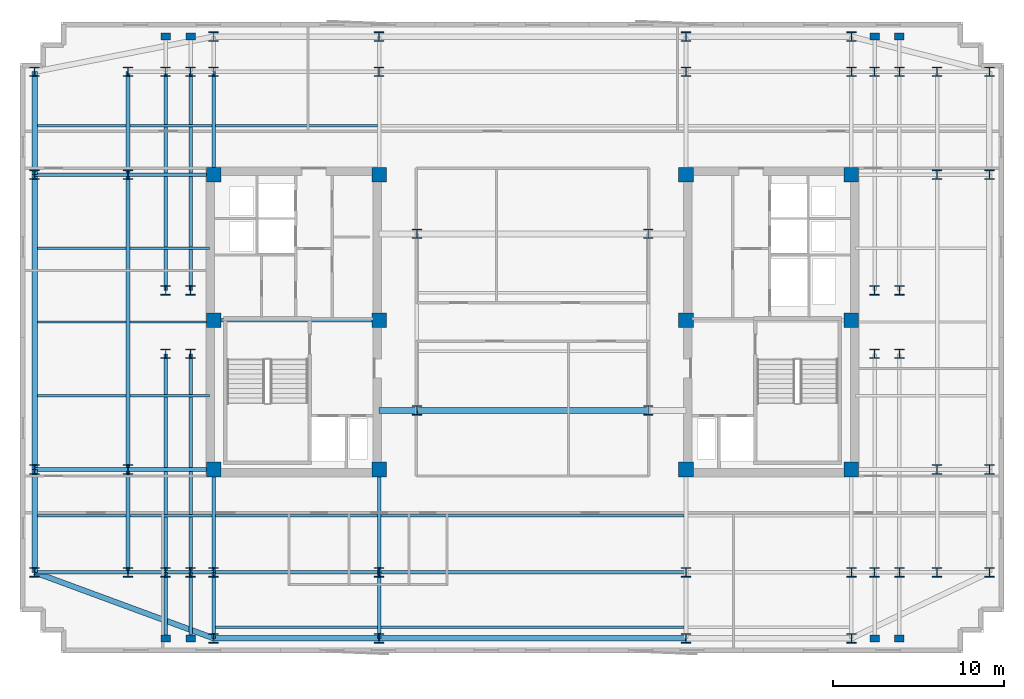
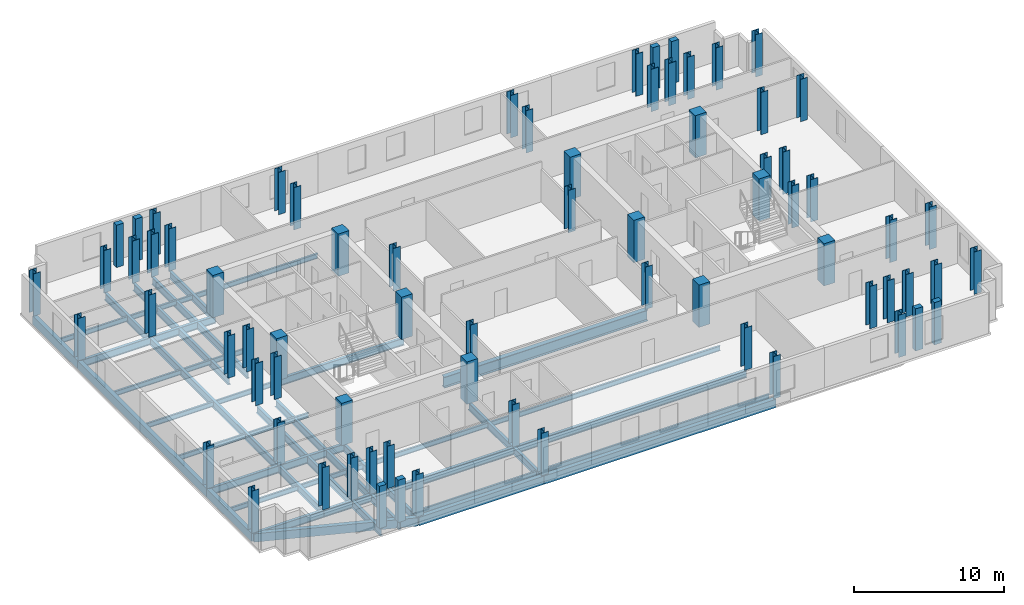
# One storey, part 1 of 9: 72 columns, 46 beams.
"""IFC4 building model written with IfcOpenShell, lengths in metres."""

from ifc_helpers import new_model, si_unit, direction, frame, origin, origin_2d, place, context, subcontext, project, spatial, rectangle, i_section, extrude, material, material_profile, profile_set, type_object, element, save


model = new_model("IFC4")

# Units and contexts
model_context = context("Model", 3, precision=1e-05, world=origin(), true_north=direction((0.0, 1.0)))
body_context = subcontext(model_context, "Body", "Model", "MODEL_VIEW")
ifc_project = project(units=[si_unit("LENGTHUNIT", "METRE"), si_unit("AREAUNIT", "SQUARE_METRE"), si_unit("VOLUMEUNIT", "CUBIC_METRE"), si_unit("PLANEANGLEUNIT", "RADIAN"), si_unit("MASSUNIT", "GRAM", prefix="KILO")], contexts=[model_context])

# Site, building, storey
site_placement = place(None, origin())
site = spatial("IfcSite", under=ifc_project, at=site_placement, CompositionType="ELEMENT")
building_placement = place(site_placement, origin())
building = spatial("IfcBuilding", under=site, at=building_placement, Name="Velakula Bourse", CompositionType="ELEMENT")
storey_placement = place(building_placement, frame((0.0, 0.0, 211.949951171875)))
storey = spatial("IfcBuildingStorey", under=building, at=storey_placement, Name="L57", CompositionType="ELEMENT", Elevation=211.949951171875)

# Columns
ifc_material_1 = material(Name="Concrete M50 (fck 50 MPa)", Category="concrete")
ifc_material_profile_1 = material_profile(ifc_material_1, rectangle(XDim=0.85009765625, YDim=0.85009765625, at=origin_2d()), Name="Concrete M50 (fck 50 MPa)")
ifc_profile_set_1 = profile_set([ifc_material_profile_1], Name="Concrete M50 (fck 50 MPa)")
column_type_1 = type_object("IfcColumnType", Name="COL-RC-850", PredefinedType="COLUMN", material=ifc_profile_set_1)
for number, where, z_axis, x_axis, name in (
    (1, (-8.949951171875, -8.60009765625, 0.0), (0.0, 0.0, 1.0), (1.0, 0.0, 0.0), "L57 Core Boundary Column 01"),
    (2, (-8.949951171875, 0.10009765625, 0.0), (0.0, 0.0, 1.0), (1.0, 0.0, 0.0), "L57 Core Boundary Column 02"),
    (3, (-8.949951171875, 8.60009765625, 0.0), (0.0, 0.0, 1.0), (1.0, 0.0, 0.0), "L57 Core Boundary Column 03"),
    (4, (-18.60009765625, -8.60009765625, 0.0), (0.0, 0.0, 1.0), (1.0, 0.0, 0.0), "L57 Core Boundary Column 04"),
    (5, (-18.60009765625, 0.10009765625, 0.0), (0.0, 0.0, 1.0), (1.0, 0.0, 0.0), "L57 Core Boundary Column 05"),
    (6, (-18.60009765625, 8.60009765625, 0.0), (0.0, 0.0, 1.0), (1.0, 0.0, 0.0), "L57 Core Boundary Column 06"),
    (7, (8.949951171875, -8.60009765625, 0.0), (0.0, 0.0, 1.0), (1.0, 0.0, 0.0), "L57 Core Boundary Column 07"),
    (8, (8.949951171875, 0.10009765625, 0.0), (0.0, 0.0, 1.0), (1.0, 0.0, 0.0), "L57 Core Boundary Column 08"),
    (9, (8.949951171875, 8.60009765625, 0.0), (0.0, 0.0, 1.0), (1.0, 0.0, 0.0), "L57 Core Boundary Column 09"),
    (10, (18.60009765625, -8.60009765625, 0.0), (0.0, 0.0, 1.0), (1.0, 0.0, 0.0), "L57 Core Boundary Column 10"),
    (11, (18.60009765625, 0.10009765625, 0.0), (0.0, 0.0, 1.0), (1.0, 0.0, 0.0), "L57 Core Boundary Column 11"),
    (12, (18.60009765625, 8.60009765625, 0.0), (0.0, 0.0, 1.0), (1.0, 0.0, 0.0), "L57 Core Boundary Column 12"),
):
    element("IfcColumn", number, at=place(storey_placement, frame(where, z_axis=z_axis, x_axis=x_axis)), inside=storey, type_object=column_type_1, Name=name, PredefinedType="COLUMN", context=body_context, shape_type="SweptSolid", body=[
        extrude(rectangle(XDim=0.85009765625, YDim=0.85009765625, at=origin_2d()), origin(), (0.0, 0.0, 1.0), 3.449951171875),
    ])
ifc_material_2 = material(Name="Steel IS 2062 Grade 350 (E350)", Category="steel")
ifc_material_profile_2 = material_profile(ifc_material_2, i_section(OverallWidth=0.550048828125, OverallDepth=0.550048828125, WebThickness=0.02392578125, FlangeThickness=0.035888671875, at=origin_2d()), Name="Steel IS 2062 Grade 350 (E350)")
ifc_profile_set_2 = profile_set([ifc_material_profile_2], Name="Steel IS 2062 Grade 350 (E350)")
column_type_2 = type_object("IfcColumnType", Name="COL-STL-550", PredefinedType="COLUMN", material=ifc_profile_set_2)
for number, where, z_axis, x_axis, name in (
    (13, (-6.75, -5.14990234375, 0.0), (0.0, 0.0, 1.0), (1.0, 0.0, 0.0), "L57 Central Spine Column 01"),
    (14, (-6.75, 5.14990234375, 0.0), (0.0, 0.0, 1.0), (1.0, 0.0, 0.0), "L57 Central Spine Column 02"),
    (15, (6.75, -5.14990234375, 0.0), (0.0, 0.0, 1.0), (1.0, 0.0, 0.0), "L57 Central Spine Column 03"),
    (16, (6.75, 5.14990234375, 0.0), (0.0, 0.0, 1.0), (1.0, 0.0, 0.0), "L57 Central Spine Column 04"),
    (17, (-21.39990234375, -14.60009765625, 0.0), (0.0, 0.0, 1.0), (1.0, 0.0, 0.0), "L57 Tower Fulcrum Column 01"),
    (18, (-21.39990234375, 14.60009765625, 0.0), (0.0, 0.0, 1.0), (1.0, 0.0, 0.0), "L57 Tower Fulcrum Column 02"),
    (19, (-19.949951171875, -14.60009765625, 0.0), (0.0, 0.0, 1.0), (1.0, 0.0, 0.0), "L57 Tower Fulcrum Column 03"),
    (20, (-19.949951171875, 14.60009765625, 0.0), (0.0, 0.0, 1.0), (1.0, 0.0, 0.0), "L57 Tower Fulcrum Column 04"),
    (21, (-18.60009765625, -14.60009765625, 0.0), (0.0, 0.0, 1.0), (1.0, 0.0, 0.0), "L57 Tower Fulcrum Column 05"),
    (22, (-18.60009765625, 14.60009765625, 0.0), (0.0, 0.0, 1.0), (1.0, 0.0, 0.0), "L57 Tower Fulcrum Column 06"),
    (23, (-8.949951171875, -14.60009765625, 0.0), (0.0, 0.0, 1.0), (1.0, 0.0, 0.0), "L57 Tower Fulcrum Column 07"),
    (24, (-8.949951171875, 14.60009765625, 0.0), (0.0, 0.0, 1.0), (1.0, 0.0, 0.0), "L57 Tower Fulcrum Column 08"),
    (25, (8.949951171875, -14.60009765625, 0.0), (0.0, 0.0, 1.0), (1.0, 0.0, 0.0), "L57 Tower Fulcrum Column 09"),
    (26, (8.949951171875, 14.60009765625, 0.0), (0.0, 0.0, 1.0), (1.0, 0.0, 0.0), "L57 Tower Fulcrum Column 10"),
    (27, (18.60009765625, -14.60009765625, 0.0), (0.0, 0.0, 1.0), (1.0, 0.0, 0.0), "L57 Tower Fulcrum Column 11"),
    (28, (18.60009765625, 14.60009765625, 0.0), (0.0, 0.0, 1.0), (1.0, 0.0, 0.0), "L57 Tower Fulcrum Column 12"),
    (29, (19.949951171875, -14.60009765625, 0.0), (0.0, 0.0, 1.0), (1.0, 0.0, 0.0), "L57 Tower Fulcrum Column 13"),
    (30, (19.949951171875, 14.60009765625, 0.0), (0.0, 0.0, 1.0), (1.0, 0.0, 0.0), "L57 Tower Fulcrum Column 14"),
    (31, (21.39990234375, -14.60009765625, 0.0), (0.0, 0.0, 1.0), (1.0, 0.0, 0.0), "L57 Tower Fulcrum Column 15"),
    (32, (21.39990234375, 14.60009765625, 0.0), (0.0, 0.0, 1.0), (1.0, 0.0, 0.0), "L57 Tower Fulcrum Column 16"),
    (33, (-21.39990234375, -1.85009765625, 0.0), (0.0, 0.0, 1.0), (1.0, 0.0, 0.0), "L57 Tower Fulcrum Column 17"),
    (34, (-21.39990234375, 1.85009765625, 0.0), (0.0, 0.0, 1.0), (1.0, 0.0, 0.0), "L57 Tower Fulcrum Column 18"),
    (35, (-19.949951171875, -1.85009765625, 0.0), (0.0, 0.0, 1.0), (1.0, 0.0, 0.0), "L57 Tower Fulcrum Column 19"),
    (36, (-19.949951171875, 1.85009765625, 0.0), (0.0, 0.0, 1.0), (1.0, 0.0, 0.0), "L57 Tower Fulcrum Column 20"),
    (37, (19.949951171875, -1.85009765625, 0.0), (0.0, 0.0, 1.0), (1.0, 0.0, 0.0), "L57 Tower Fulcrum Column 21"),
    (38, (19.949951171875, 1.85009765625, 0.0), (0.0, 0.0, 1.0), (1.0, 0.0, 0.0), "L57 Tower Fulcrum Column 22"),
    (39, (21.39990234375, -1.85009765625, 0.0), (0.0, 0.0, 1.0), (1.0, 0.0, 0.0), "L57 Tower Fulcrum Column 23"),
    (40, (21.39990234375, 1.85009765625, 0.0), (0.0, 0.0, 1.0), (1.0, 0.0, 0.0), "L57 Tower Fulcrum Column 24"),
    (41, (-23.60009765625, -14.60009765625, 0.0), (0.0, 0.0, 1.0), (1.0, 0.0, 0.0), "L57 Mid-Wing Plumb Column 01"),
    (42, (-23.60009765625, -8.60009765625, 0.0), (0.0, 0.0, 1.0), (1.0, 0.0, 0.0), "L57 Mid-Wing Plumb Column 02"),
    (43, (-23.60009765625, 8.60009765625, 0.0), (0.0, 0.0, 1.0), (1.0, 0.0, 0.0), "L57 Mid-Wing Plumb Column 03"),
    (44, (-23.60009765625, 14.60009765625, 0.0), (0.0, 0.0, 1.0), (1.0, 0.0, 0.0), "L57 Mid-Wing Plumb Column 04"),
    (45, (23.60009765625, -14.60009765625, 0.0), (0.0, 0.0, 1.0), (1.0, 0.0, 0.0), "L57 Mid-Wing Plumb Column 05"),
    (46, (23.60009765625, -8.60009765625, 0.0), (0.0, 0.0, 1.0), (1.0, 0.0, 0.0), "L57 Mid-Wing Plumb Column 06"),
    (47, (23.60009765625, 8.60009765625, 0.0), (0.0, 0.0, 1.0), (1.0, 0.0, 0.0), "L57 Mid-Wing Plumb Column 07"),
    (48, (23.60009765625, 14.60009765625, 0.0), (0.0, 0.0, 1.0), (1.0, 0.0, 0.0), "L57 Mid-Wing Plumb Column 08"),
    (49, (-18.60009765625, -18.449951171875, 0.0), (0.0, 0.0, 1.0), (1.0, 0.0, 0.0), "L57 Block B5 Perimeter Column S1"),
    (50, (-8.949951171875, -18.449951171875, 0.0), (0.0, 0.0, 1.0), (1.0, 0.0, 0.0), "L57 Block B5 Perimeter Column S2"),
    (51, (8.949951171875, -18.449951171875, 0.0), (0.0, 0.0, 1.0), (1.0, 0.0, 0.0), "L57 Block B5 Perimeter Column S3"),
    (52, (18.60009765625, -18.449951171875, 0.0), (0.0, 0.0, 1.0), (1.0, 0.0, 0.0), "L57 Block B5 Perimeter Column S4"),
    (53, (-18.60009765625, 16.64990234375, 0.0), (0.0, 0.0, 1.0), (1.0, 0.0, 0.0), "L57 Block B5 Perimeter Column N1"),
    (54, (-8.949951171875, 16.64990234375, 0.0), (0.0, 0.0, 1.0), (1.0, 0.0, 0.0), "L57 Block B5 Perimeter Column N2"),
    (55, (8.949951171875, 16.64990234375, 0.0), (0.0, 0.0, 1.0), (1.0, 0.0, 0.0), "L57 Block B5 Perimeter Column N3"),
    (56, (18.60009765625, 16.64990234375, 0.0), (0.0, 0.0, 1.0), (1.0, 0.0, 0.0), "L57 Block B5 Perimeter Column N4"),
    (57, (-29.050048828125, -14.60009765625, 0.0), (0.0, 0.0, 1.0), (1.0, 0.0, 0.0), "L57 Block B5 Perimeter Column W1"),
    (58, (-29.050048828125, -8.60009765625, 0.0), (0.0, 0.0, 1.0), (1.0, 0.0, 0.0), "L57 Block B5 Perimeter Column W2"),
    (59, (-29.050048828125, 8.60009765625, 0.0), (0.0, 0.0, 1.0), (1.0, 0.0, 0.0), "L57 Block B5 Perimeter Column W3"),
    (60, (-29.050048828125, 14.60009765625, 0.0), (0.0, 0.0, 1.0), (1.0, 0.0, 0.0), "L57 Block B5 Perimeter Column W4"),
    (61, (26.64990234375, -14.60009765625, 0.0), (0.0, 0.0, 1.0), (1.0, 0.0, 0.0), "L57 Block B5 Perimeter Column E1"),
    (62, (26.64990234375, -8.60009765625, 0.0), (0.0, 0.0, 1.0), (1.0, 0.0, 0.0), "L57 Block B5 Perimeter Column E2"),
    (63, (26.64990234375, 8.60009765625, 0.0), (0.0, 0.0, 1.0), (1.0, 0.0, 0.0), "L57 Block B5 Perimeter Column E3"),
    (64, (26.64990234375, 14.60009765625, 0.0), (0.0, 0.0, 1.0), (1.0, 0.0, 0.0), "L57 Block B5 Perimeter Column E4"),
):
    element("IfcColumn", number, at=place(storey_placement, frame(where, z_axis=z_axis, x_axis=x_axis)), inside=storey, type_object=column_type_2, Name=name, PredefinedType="COLUMN", context=body_context, shape_type="SweptSolid", body=[
        extrude(i_section(OverallWidth=0.550048828125, OverallDepth=0.550048828125, WebThickness=0.02392578125, FlangeThickness=0.035888671875, at=origin_2d()), origin(), (0.0, 0.0, 1.0), 3.449951171875),
    ])
ifc_material_3 = material(Name="Precast concrete M45 (fck 45 MPa)", Category="concrete")
ifc_material_profile_3 = material_profile(ifc_material_3, rectangle(XDim=0.550048828125, YDim=0.39990234375, at=origin_2d()), Name="Precast concrete M45 (fck 45 MPa)")
ifc_profile_set_3 = profile_set([ifc_material_profile_3], Name="Precast concrete M45 (fck 45 MPa)")
column_type_3 = type_object("IfcColumnType", Name="PIL-BRICK-550", PredefinedType="PILASTER", material=ifc_profile_set_3)
for number, where, z_axis, x_axis, name in (
    (65, (-21.39990234375, -18.449951171875, 0.0), (0.0, 0.0, 1.0), (1.0, 0.0, 0.0), "L57 Brick Pier Pilaster 01"),
    (66, (-19.949951171875, -18.449951171875, 0.0), (0.0, 0.0, 1.0), (1.0, 0.0, 0.0), "L57 Brick Pier Pilaster 02"),
    (67, (19.949951171875, -18.449951171875, 0.0), (0.0, 0.0, 1.0), (1.0, 0.0, 0.0), "L57 Brick Pier Pilaster 03"),
    (68, (21.39990234375, -18.449951171875, 0.0), (0.0, 0.0, 1.0), (1.0, 0.0, 0.0), "L57 Brick Pier Pilaster 04"),
    (69, (-21.39990234375, 16.64990234375, 0.0), (0.0, 0.0, 1.0), (1.0, 0.0, 0.0), "L57 Brick Pier Pilaster 05"),
    (70, (-19.949951171875, 16.64990234375, 0.0), (0.0, 0.0, 1.0), (1.0, 0.0, 0.0), "L57 Brick Pier Pilaster 06"),
    (71, (19.949951171875, 16.64990234375, 0.0), (0.0, 0.0, 1.0), (1.0, 0.0, 0.0), "L57 Brick Pier Pilaster 07"),
    (72, (21.39990234375, 16.64990234375, 0.0), (0.0, 0.0, 1.0), (1.0, 0.0, 0.0), "L57 Brick Pier Pilaster 08"),
):
    element("IfcColumn", number, at=place(storey_placement, frame(where, z_axis=z_axis, x_axis=x_axis)), inside=storey, type_object=column_type_3, Name=name, PredefinedType="PILASTER", context=body_context, shape_type="SweptSolid", body=[
        extrude(rectangle(XDim=0.550048828125, YDim=0.39990234375, at=origin_2d()), origin(), (0.0, 0.0, 1.0), 3.449951171875),
    ])

# Beams
ifc_material_profile_4 = material_profile(ifc_material_2, i_section(OverallWidth=0.2099609375, OverallDepth=0.60009765625, WebThickness=0.011962890625, FlangeThickness=0.020751953125, at=origin_2d()), Name="Steel IS 2062 Grade 350 (E350)")
ifc_profile_set_4 = profile_set([ifc_material_profile_4], Name="Steel IS 2062 Grade 350 (E350)")
beam_type_1 = type_object("IfcBeamType", Name="BM-GRD-600L", PredefinedType="BEAM", material=ifc_profile_set_4)
beam_1_placement = place(storey_placement, frame((-18.60009765625, 0.10009765625, -0.47998046875), z_axis=(1.0, 0.0, 0.0), x_axis=(0.0, 1.0, 0.0)))
element("IfcBeam", 73, at=beam_1_placement, inside=storey, type_object=beam_type_1, Name="L57 Primary Backbone Girder CRW-M", PredefinedType="BEAM", context=body_context, shape_type="SweptSolid", body=[
    extrude(i_section(OverallWidth=0.2099609375, OverallDepth=0.60009765625, WebThickness=0.011962890625, FlangeThickness=0.020751953125, at=origin_2d()), origin(), (0.0, 0.0, 1.0), 9.650146484375),
])
for number, where, z_axis, x_axis, name in (
    (74, (-18.60009765625, -14.60009765625, -0.47998046875), (0.0, 1.0, 0.0), (-1.0, 0.0, 0.0), "L57 Fulcrum Grid Girder FLC-WS"),
    (75, (-18.60009765625, 8.60009765625, -0.47998046875), (0.0, 1.0, 0.0), (-1.0, 0.0, 0.0), "L57 Fulcrum Grid Girder FLC-WN"),
    (76, (-8.949951171875, -14.60009765625, -0.47998046875), (0.0, 1.0, 0.0), (-1.0, 0.0, 0.0), "L57 Fulcrum Grid Girder FLC-WCS"),
):
    element("IfcBeam", number, at=place(storey_placement, frame(where, z_axis=z_axis, x_axis=x_axis)), inside=storey, type_object=beam_type_1, Name=name, PredefinedType="BEAM", context=body_context, shape_type="SweptSolid", body=[
        extrude(i_section(OverallWidth=0.2099609375, OverallDepth=0.60009765625, WebThickness=0.011962890625, FlangeThickness=0.020751953125, at=origin_2d()), origin(), (0.0, 0.0, 1.0), 6.0),
    ])
beam_2_placement = place(storey_placement, frame((-18.60009765625, -14.60009765625, -0.47998046875), z_axis=(1.0, 0.0, 0.0), x_axis=(0.0, 1.0, 0.0)))
element("IfcBeam", 77, at=beam_2_placement, inside=storey, type_object=beam_type_1, Name="L57 Fulcrum Grid Girder FLC-S1", PredefinedType="BEAM", context=body_context, shape_type="SweptSolid", body=[
    extrude(i_section(OverallWidth=0.2099609375, OverallDepth=0.60009765625, WebThickness=0.011962890625, FlangeThickness=0.020751953125, at=origin_2d()), origin(), (0.0, 0.0, 1.0), 9.650146484375),
])
beam_3_placement = place(storey_placement, frame((-8.949951171875, -14.60009765625, -0.47998046875), z_axis=(1.0, 0.0, 0.0), x_axis=(0.0, 1.0, 0.0)))
element("IfcBeam", 78, at=beam_3_placement, inside=storey, type_object=beam_type_1, Name="L57 Fulcrum Grid Girder FLC-S2", PredefinedType="BEAM", context=body_context, shape_type="SweptSolid", body=[
    extrude(i_section(OverallWidth=0.2099609375, OverallDepth=0.60009765625, WebThickness=0.011962890625, FlangeThickness=0.020751953125, at=origin_2d()), origin(), (0.0, 0.0, 1.0), 17.89990234375),
])
for number, where, z_axis, x_axis, name in (
    (79, (-21.39990234375, -14.60009765625, -0.47998046875), (0.0, 1.0, 0.0), (-1.0, 0.0, 0.0), "L57 Fulcrum Grid Girder FLC-PSW1"),
    (80, (-21.39990234375, 1.85009765625, -0.47998046875), (0.0, 1.0, 0.0), (-1.0, 0.0, 0.0), "L57 Fulcrum Grid Girder FLC-PNW1"),
    (81, (-19.949951171875, -14.60009765625, -0.47998046875), (0.0, 1.0, 0.0), (-1.0, 0.0, 0.0), "L57 Fulcrum Grid Girder FLC-PSW2"),
    (82, (-19.949951171875, 1.85009765625, -0.47998046875), (0.0, 1.0, 0.0), (-1.0, 0.0, 0.0), "L57 Fulcrum Grid Girder FLC-PNW2"),
):
    element("IfcBeam", number, at=place(storey_placement, frame(where, z_axis=z_axis, x_axis=x_axis)), inside=storey, type_object=beam_type_1, Name=name, PredefinedType="BEAM", context=body_context, shape_type="SweptSolid", body=[
        extrude(i_section(OverallWidth=0.2099609375, OverallDepth=0.60009765625, WebThickness=0.011962890625, FlangeThickness=0.020751953125, at=origin_2d()), origin(), (0.0, 0.0, 1.0), 12.75),
    ])
for number, where, z_axis, x_axis, name in (
    (83, (-23.60009765625, -14.60009765625, -0.47998046875), (1.0, 0.0, 0.0), (0.0, 1.0, 0.0), "L57 Fulcrum Grid Girder MWG-WS1"),
    (84, (-23.60009765625, -8.60009765625, -0.47998046875), (1.0, 0.0, 0.0), (0.0, 1.0, 0.0), "L57 Fulcrum Grid Girder MWG-WS2"),
    (85, (-23.60009765625, 8.60009765625, -0.47998046875), (1.0, 0.0, 0.0), (0.0, 1.0, 0.0), "L57 Fulcrum Grid Girder MWG-WN1"),
):
    element("IfcBeam", number, at=place(storey_placement, frame(where, z_axis=z_axis, x_axis=x_axis)), inside=storey, type_object=beam_type_1, Name=name, PredefinedType="BEAM", context=body_context, shape_type="SweptSolid", body=[
        extrude(i_section(OverallWidth=0.2099609375, OverallDepth=0.60009765625, WebThickness=0.011962890625, FlangeThickness=0.020751953125, at=origin_2d()), origin(), (0.0, 0.0, 1.0), 5.0),
    ])
beam_4_placement = place(storey_placement, frame((-23.60009765625, -14.60009765625, -0.47998046875), z_axis=(0.0, 1.0, 0.0), x_axis=(-1.0, 0.0, 0.0)))
element("IfcBeam", 86, at=beam_4_placement, inside=storey, type_object=beam_type_1, Name="L57 Fulcrum Grid Girder MWG-WNS1", PredefinedType="BEAM", context=body_context, shape_type="SweptSolid", body=[
    extrude(i_section(OverallWidth=0.2099609375, OverallDepth=0.60009765625, WebThickness=0.011962890625, FlangeThickness=0.020751953125, at=origin_2d()), origin(), (0.0, 0.0, 1.0), 6.0),
])
beam_5_placement = place(storey_placement, frame((-23.60009765625, -8.60009765625, -0.47998046875), z_axis=(0.0, 1.0, 0.0), x_axis=(-1.0, 0.0, 0.0)))
element("IfcBeam", 87, at=beam_5_placement, inside=storey, type_object=beam_type_1, Name="L57 Fulcrum Grid Girder MWG-WNS2", PredefinedType="BEAM", context=body_context, shape_type="SweptSolid", body=[
    extrude(i_section(OverallWidth=0.2099609375, OverallDepth=0.60009765625, WebThickness=0.011962890625, FlangeThickness=0.020751953125, at=origin_2d()), origin(), (0.0, 0.0, 1.0), 17.2001953125),
])
beam_6_placement = place(storey_placement, frame((-23.60009765625, 8.60009765625, -0.47998046875), z_axis=(0.0, 1.0, 0.0), x_axis=(-1.0, 0.0, 0.0)))
element("IfcBeam", 88, at=beam_6_placement, inside=storey, type_object=beam_type_1, Name="L57 Fulcrum Grid Girder MWG-WNS3", PredefinedType="BEAM", context=body_context, shape_type="SweptSolid", body=[
    extrude(i_section(OverallWidth=0.2099609375, OverallDepth=0.60009765625, WebThickness=0.011962890625, FlangeThickness=0.020751953125, at=origin_2d()), origin(), (0.0, 0.0, 1.0), 6.0),
])
for number, where, z_axis, x_axis, name in (
    (89, (-18.60009765625, -14.60009765625, -0.47998046875), (0.0, -1.0, 0.0), (1.0, 0.0, 0.0), "L57 Perimeter Tie Girder S1"),
    (90, (-8.949951171875, -14.60009765625, -0.47998046875), (0.0, -1.0, 0.0), (1.0, 0.0, 0.0), "L57 Perimeter Tie Girder S2"),
):
    element("IfcBeam", number, at=place(storey_placement, frame(where, z_axis=z_axis, x_axis=x_axis)), inside=storey, type_object=beam_type_1, Name=name, PredefinedType="BEAM", context=body_context, shape_type="SweptSolid", body=[
        extrude(i_section(OverallWidth=0.2099609375, OverallDepth=0.60009765625, WebThickness=0.011962890625, FlangeThickness=0.020751953125, at=origin_2d()), origin(), (0.0, 0.0, 1.0), 3.849853515625),
    ])
for number, where, z_axis, x_axis, name in (
    (91, (-23.60009765625, -14.60009765625, -0.47998046875), (-1.0, 0.0, 0.0), (0.0, -1.0, 0.0), "L57 Perimeter Tie Girder W1"),
    (92, (-23.60009765625, -8.60009765625, -0.47998046875), (-1.0, 0.0, 0.0), (0.0, -1.0, 0.0), "L57 Perimeter Tie Girder W2"),
    (93, (-23.60009765625, 8.60009765625, -0.47998046875), (-1.0, 0.0, 0.0), (0.0, -1.0, 0.0), "L57 Perimeter Tie Girder W3"),
):
    element("IfcBeam", number, at=place(storey_placement, frame(where, z_axis=z_axis, x_axis=x_axis)), inside=storey, type_object=beam_type_1, Name=name, PredefinedType="BEAM", context=body_context, shape_type="SweptSolid", body=[
        extrude(i_section(OverallWidth=0.2099609375, OverallDepth=0.60009765625, WebThickness=0.011962890625, FlangeThickness=0.020751953125, at=origin_2d()), origin(), (0.0, 0.0, 1.0), 5.449951171875),
    ])
for number, where, z_axis, x_axis, name in (
    (94, (-21.39990234375, -14.60009765625, -0.47998046875), (0.0, -1.0, 0.0), (1.0, 0.0, 0.0), "L57 Perimeter Tie Girder P01"),
    (95, (-19.949951171875, -14.60009765625, -0.47998046875), (0.0, -1.0, 0.0), (1.0, 0.0, 0.0), "L57 Perimeter Tie Girder P02"),
):
    element("IfcBeam", number, at=place(storey_placement, frame(where, z_axis=z_axis, x_axis=x_axis)), inside=storey, type_object=beam_type_1, Name=name, PredefinedType="BEAM", context=body_context, shape_type="SweptSolid", body=[
        extrude(i_section(OverallWidth=0.2099609375, OverallDepth=0.60009765625, WebThickness=0.011962890625, FlangeThickness=0.020751953125, at=origin_2d()), origin(), (0.0, 0.0, 1.0), 3.849853515625),
    ])
ifc_material_profile_5 = material_profile(ifc_material_2, i_section(OverallWidth=0.35009765625, OverallDepth=0.89990234375, WebThickness=0.02001953125, FlangeThickness=0.031982421875, at=origin_2d()), Name="Steel IS 2062 Grade 350 (E350)")
ifc_profile_set_5 = profile_set([ifc_material_profile_5], Name="Steel IS 2062 Grade 350 (E350)")
beam_type_2 = type_object("IfcBeamType", Name="BM-LNK-900", PredefinedType="BEAM", material=ifc_profile_set_5)
beam_7_placement = place(storey_placement, frame((-8.949951171875, -5.14990234375, -0.6298828125), z_axis=(1.0, 0.0, 0.0), x_axis=(0.0, 1.0, 0.0)))
element("IfcBeam", 96, at=beam_7_placement, inside=storey, type_object=beam_type_2, Name="L57 Primary Backbone Girder LNK-S1", PredefinedType="BEAM", context=body_context, shape_type="SweptSolid", body=[
    extrude(i_section(OverallWidth=0.35009765625, OverallDepth=0.89990234375, WebThickness=0.02001953125, FlangeThickness=0.031982421875, at=origin_2d()), origin(), (0.0, 0.0, 1.0), 2.199951171875),
])
beam_8_placement = place(storey_placement, frame((-6.75, -5.14990234375, -0.6298828125), z_axis=(1.0, 0.0, 0.0), x_axis=(0.0, 1.0, 0.0)))
element("IfcBeam", 97, at=beam_8_placement, inside=storey, type_object=beam_type_2, Name="L57 Primary Backbone Girder LNK-S2", PredefinedType="BEAM", context=body_context, shape_type="SweptSolid", body=[
    extrude(i_section(OverallWidth=0.35009765625, OverallDepth=0.89990234375, WebThickness=0.02001953125, FlangeThickness=0.031982421875, at=origin_2d()), origin(), (0.0, 0.0, 1.0), 13.5),
])
ifc_material_profile_6 = material_profile(ifc_material_2, i_section(OverallWidth=0.139892578125, OverallDepth=0.39990234375, WebThickness=0.0087890625, FlangeThickness=0.01611328125, at=origin_2d()), Name="Steel IS 2062 Grade 350 (E350)")
ifc_profile_set_6 = profile_set([ifc_material_profile_6], Name="Steel IS 2062 Grade 350 (E350)")
beam_type_3 = type_object("IfcBeamType", Name="JST-TWR-400", PredefinedType="JOIST", material=ifc_profile_set_6)
beam_9_placement = place(storey_placement, frame((-18.4951171875, -17.800048828125, -0.3798828125), z_axis=(1.0, 0.0, 0.0), x_axis=(0.0, 1.0, 0.0)))
element("IfcBeam", 98, at=beam_9_placement, inside=storey, type_object=beam_type_3, Name="L57 Trading Floor Composite Joist 01", PredefinedType="JOIST", context=body_context, shape_type="SweptSolid", body=[
    extrude(i_section(OverallWidth=0.139892578125, OverallDepth=0.39990234375, WebThickness=0.0087890625, FlangeThickness=0.01611328125, at=origin_2d()), origin(), (0.0, 0.0, 1.0), 9.440185546875),
])
beam_10_placement = place(storey_placement, frame((-8.844970703125, -17.800048828125, -0.3798828125), z_axis=(1.0, 0.0, 0.0), x_axis=(0.0, 1.0, 0.0)))
element("IfcBeam", 99, at=beam_10_placement, inside=storey, type_object=beam_type_3, Name="L57 Trading Floor Composite Joist 02", PredefinedType="JOIST", context=body_context, shape_type="SweptSolid", body=[
    extrude(i_section(OverallWidth=0.139892578125, OverallDepth=0.39990234375, WebThickness=0.0087890625, FlangeThickness=0.01611328125, at=origin_2d()), origin(), (0.0, 0.0, 1.0), 17.68994140625),
])
beam_11_placement = place(storey_placement, frame((-28.889892578125, -11.300048828125, -0.3798828125), z_axis=(1.0, 0.0, 0.0), x_axis=(0.0, 1.0, 0.0)))
element("IfcBeam", 100, at=beam_11_placement, inside=storey, type_object=beam_type_3, Name="L57 Trading Floor Composite Joist 04", PredefinedType="JOIST", context=body_context, shape_type="SweptSolid", body=[
    extrude(i_section(OverallWidth=0.139892578125, OverallDepth=0.39990234375, WebThickness=0.0087890625, FlangeThickness=0.01611328125, at=origin_2d()), origin(), (0.0, 0.0, 1.0), 5.184814453125),
])
beam_12_placement = place(storey_placement, frame((-23.4951171875, -11.300048828125, -0.3798828125), z_axis=(1.0, 0.0, 0.0), x_axis=(0.0, 1.0, 0.0)))
element("IfcBeam", 101, at=beam_12_placement, inside=storey, type_object=beam_type_3, Name="L57 Trading Floor Composite Joist 05", PredefinedType="JOIST", context=body_context, shape_type="SweptSolid", body=[
    extrude(i_section(OverallWidth=0.139892578125, OverallDepth=0.39990234375, WebThickness=0.0087890625, FlangeThickness=0.01611328125, at=origin_2d()), origin(), (0.0, 0.0, 1.0), 4.7900390625),
])
beam_13_placement = place(storey_placement, frame((-18.4951171875, -11.300048828125, -0.3798828125), z_axis=(1.0, 0.0, 0.0), x_axis=(0.0, 1.0, 0.0)))
element("IfcBeam", 102, at=beam_13_placement, inside=storey, type_object=beam_type_3, Name="L57 Trading Floor Composite Joist 06", PredefinedType="JOIST", context=body_context, shape_type="SweptSolid", body=[
    extrude(i_section(OverallWidth=0.139892578125, OverallDepth=0.39990234375, WebThickness=0.0087890625, FlangeThickness=0.01611328125, at=origin_2d()), origin(), (0.0, 0.0, 1.0), 9.440185546875),
])
beam_14_placement = place(storey_placement, frame((-8.844970703125, -11.300048828125, -0.3798828125), z_axis=(1.0, 0.0, 0.0), x_axis=(0.0, 1.0, 0.0)))
element("IfcBeam", 103, at=beam_14_placement, inside=storey, type_object=beam_type_3, Name="L57 Trading Floor Composite Joist 07", PredefinedType="JOIST", context=body_context, shape_type="SweptSolid", body=[
    extrude(i_section(OverallWidth=0.139892578125, OverallDepth=0.39990234375, WebThickness=0.0087890625, FlangeThickness=0.01611328125, at=origin_2d()), origin(), (0.0, 0.0, 1.0), 17.68994140625),
])
beam_15_placement = place(storey_placement, frame((-28.889892578125, 11.449951171875, -0.3798828125), z_axis=(1.0, 0.0, 0.0), x_axis=(0.0, 1.0, 0.0)))
element("IfcBeam", 104, at=beam_15_placement, inside=storey, type_object=beam_type_3, Name="L57 Trading Floor Composite Joist 11", PredefinedType="JOIST", context=body_context, shape_type="SweptSolid", body=[
    extrude(i_section(OverallWidth=0.139892578125, OverallDepth=0.39990234375, WebThickness=0.0087890625, FlangeThickness=0.01611328125, at=origin_2d()), origin(), (0.0, 0.0, 1.0), 5.184814453125),
])
beam_16_placement = place(storey_placement, frame((-23.4951171875, 11.449951171875, -0.3798828125), z_axis=(1.0, 0.0, 0.0), x_axis=(0.0, 1.0, 0.0)))
element("IfcBeam", 105, at=beam_16_placement, inside=storey, type_object=beam_type_3, Name="L57 Trading Floor Composite Joist 12", PredefinedType="JOIST", context=body_context, shape_type="SweptSolid", body=[
    extrude(i_section(OverallWidth=0.139892578125, OverallDepth=0.39990234375, WebThickness=0.0087890625, FlangeThickness=0.01611328125, at=origin_2d()), origin(), (0.0, 0.0, 1.0), 4.7900390625),
])
beam_17_placement = place(storey_placement, frame((-18.4951171875, 11.449951171875, -0.3798828125), z_axis=(1.0, 0.0, 0.0), x_axis=(0.0, 1.0, 0.0)))
element("IfcBeam", 106, at=beam_17_placement, inside=storey, type_object=beam_type_3, Name="L57 Trading Floor Composite Joist 13", PredefinedType="JOIST", context=body_context, shape_type="SweptSolid", body=[
    extrude(i_section(OverallWidth=0.139892578125, OverallDepth=0.39990234375, WebThickness=0.0087890625, FlangeThickness=0.01611328125, at=origin_2d()), origin(), (0.0, 0.0, 1.0), 9.440185546875),
])
beam_18_placement = place(storey_placement, frame((-28.889892578125, -4.300048828125, -0.3798828125), z_axis=(1.0, 0.0, 0.0), x_axis=(0.0, 1.0, 0.0)))
element("IfcBeam", 107, at=beam_18_placement, inside=storey, type_object=beam_type_3, Name="L57 Trading Floor Composite Joist 20", PredefinedType="JOIST", context=body_context, shape_type="SweptSolid", body=[
    extrude(i_section(OverallWidth=0.139892578125, OverallDepth=0.39990234375, WebThickness=0.0087890625, FlangeThickness=0.01611328125, at=origin_2d()), origin(), (0.0, 0.0, 1.0), 5.184814453125),
])
beam_19_placement = place(storey_placement, frame((-23.4951171875, -4.300048828125, -0.3798828125), z_axis=(1.0, 0.0, 0.0), x_axis=(0.0, 1.0, 0.0)))
element("IfcBeam", 108, at=beam_19_placement, inside=storey, type_object=beam_type_3, Name="L57 Trading Floor Composite Joist 21", PredefinedType="JOIST", context=body_context, shape_type="SweptSolid", body=[
    extrude(i_section(OverallWidth=0.139892578125, OverallDepth=0.39990234375, WebThickness=0.0087890625, FlangeThickness=0.01611328125, at=origin_2d()), origin(), (0.0, 0.0, 1.0), 4.64501953125),
])
beam_20_placement = place(storey_placement, frame((-28.889892578125, 0.0, -0.3798828125), z_axis=(1.0, 0.0, 0.0), x_axis=(0.0, 1.0, 0.0)))
element("IfcBeam", 109, at=beam_20_placement, inside=storey, type_object=beam_type_3, Name="L57 Trading Floor Composite Joist 24", PredefinedType="JOIST", context=body_context, shape_type="SweptSolid", body=[
    extrude(i_section(OverallWidth=0.139892578125, OverallDepth=0.39990234375, WebThickness=0.0087890625, FlangeThickness=0.01611328125, at=origin_2d()), origin(), (0.0, 0.0, 1.0), 5.184814453125),
])
beam_21_placement = place(storey_placement, frame((-23.4951171875, 0.0, -0.3798828125), z_axis=(1.0, 0.0, 0.0), x_axis=(0.0, 1.0, 0.0)))
element("IfcBeam", 110, at=beam_21_placement, inside=storey, type_object=beam_type_3, Name="L57 Trading Floor Composite Joist 25", PredefinedType="JOIST", context=body_context, shape_type="SweptSolid", body=[
    extrude(i_section(OverallWidth=0.139892578125, OverallDepth=0.39990234375, WebThickness=0.0087890625, FlangeThickness=0.01611328125, at=origin_2d()), origin(), (0.0, 0.0, 1.0), 4.64501953125),
])
beam_22_placement = place(storey_placement, frame((-28.889892578125, 4.300048828125, -0.3798828125), z_axis=(1.0, 0.0, 0.0), x_axis=(0.0, 1.0, 0.0)))
element("IfcBeam", 111, at=beam_22_placement, inside=storey, type_object=beam_type_3, Name="L57 Trading Floor Composite Joist 28", PredefinedType="JOIST", context=body_context, shape_type="SweptSolid", body=[
    extrude(i_section(OverallWidth=0.139892578125, OverallDepth=0.39990234375, WebThickness=0.0087890625, FlangeThickness=0.01611328125, at=origin_2d()), origin(), (0.0, 0.0, 1.0), 5.184814453125),
])
beam_23_placement = place(storey_placement, frame((-23.4951171875, 4.300048828125, -0.3798828125), z_axis=(1.0, 0.0, 0.0), x_axis=(0.0, 1.0, 0.0)))
element("IfcBeam", 112, at=beam_23_placement, inside=storey, type_object=beam_type_3, Name="L57 Trading Floor Composite Joist 29", PredefinedType="JOIST", context=body_context, shape_type="SweptSolid", body=[
    extrude(i_section(OverallWidth=0.139892578125, OverallDepth=0.39990234375, WebThickness=0.0087890625, FlangeThickness=0.01611328125, at=origin_2d()), origin(), (0.0, 0.0, 1.0), 4.64501953125),
])
ifc_material_profile_7 = material_profile(ifc_material_3, rectangle(XDim=0.320068359375, YDim=0.679931640625, at=origin_2d()), Name="Precast concrete M45 (fck 45 MPa)")
ifc_profile_set_7 = profile_set([ifc_material_profile_7], Name="Precast concrete M45 (fck 45 MPa)")
beam_type_4 = type_object("IfcBeamType", Name="SPN-BRICK-680", PredefinedType="SPANDREL", material=ifc_profile_set_7)
beam_24_placement = place(storey_placement, frame((-18.60009765625, -18.449951171875, -0.52001953125), z_axis=(1.0, 0.0, 0.0), x_axis=(0.0, 1.0, 0.0)))
element("IfcBeam", 113, at=beam_24_placement, inside=storey, type_object=beam_type_4, Name="L57 Brick-Faced Precast Spandrel S1-S2", PredefinedType="SPANDREL", context=body_context, shape_type="SweptSolid", body=[
    extrude(rectangle(XDim=0.320068359375, YDim=0.679931640625, at=origin_2d()), origin(), (0.0, 0.0, 1.0), 9.650146484375),
])
beam_25_placement = place(storey_placement, frame((-8.949951171875, -18.449951171875, -0.52001953125), z_axis=(1.0, 0.0, 0.0), x_axis=(0.0, 1.0, 0.0)))
element("IfcBeam", 114, at=beam_25_placement, inside=storey, type_object=beam_type_4, Name="L57 Brick-Faced Precast Spandrel S2-S3", PredefinedType="SPANDREL", context=body_context, shape_type="SweptSolid", body=[
    extrude(rectangle(XDim=0.320068359375, YDim=0.679931640625, at=origin_2d()), origin(), (0.0, 0.0, 1.0), 17.89990234375),
])
beam_26_placement = place(storey_placement, frame((-29.050048828125, -14.60009765625, -0.52001953125), z_axis=(0.0, 1.0, 0.0), x_axis=(-1.0, 0.0, 0.0)))
element("IfcBeam", 115, at=beam_26_placement, inside=storey, type_object=beam_type_4, Name="L57 Brick-Faced Precast Spandrel W1-W2", PredefinedType="SPANDREL", context=body_context, shape_type="SweptSolid", body=[
    extrude(rectangle(XDim=0.320068359375, YDim=0.679931640625, at=origin_2d()), origin(), (0.0, 0.0, 1.0), 6.0),
])
beam_27_placement = place(storey_placement, frame((-29.050048828125, -8.60009765625, -0.52001953125), z_axis=(0.0, 1.0, 0.0), x_axis=(-1.0, 0.0, 0.0)))
element("IfcBeam", 116, at=beam_27_placement, inside=storey, type_object=beam_type_4, Name="L57 Brick-Faced Precast Spandrel W2-W3", PredefinedType="SPANDREL", context=body_context, shape_type="SweptSolid", body=[
    extrude(rectangle(XDim=0.320068359375, YDim=0.679931640625, at=origin_2d()), origin(), (0.0, 0.0, 1.0), 17.2001953125),
])
beam_28_placement = place(storey_placement, frame((-29.050048828125, 8.60009765625, -0.52001953125), z_axis=(0.0, 1.0, 0.0), x_axis=(-1.0, 0.0, 0.0)))
element("IfcBeam", 117, at=beam_28_placement, inside=storey, type_object=beam_type_4, Name="L57 Brick-Faced Precast Spandrel W3-W4", PredefinedType="SPANDREL", context=body_context, shape_type="SweptSolid", body=[
    extrude(rectangle(XDim=0.320068359375, YDim=0.679931640625, at=origin_2d()), origin(), (0.0, 0.0, 1.0), 6.0),
])
beam_29_placement = place(storey_placement, frame((-29.050048828125, -14.60009765625, -0.52001953125), z_axis=(0.93834685962, -0.34569519962, 0.0), x_axis=(0.34569519962, 0.93834685962, 0.0)))
element("IfcBeam", 118, at=beam_29_placement, inside=storey, type_object=beam_type_4, Name="L57 Brick-Faced Precast Spandrel W1-S1", PredefinedType="SPANDREL", context=body_context, shape_type="SweptSolid", body=[
    extrude(rectangle(XDim=0.320068359375, YDim=0.679931640625, at=origin_2d()), origin(), (0.0, 0.0, 1.0), 11.136474609375),
])

save(model, "model.ifc")
